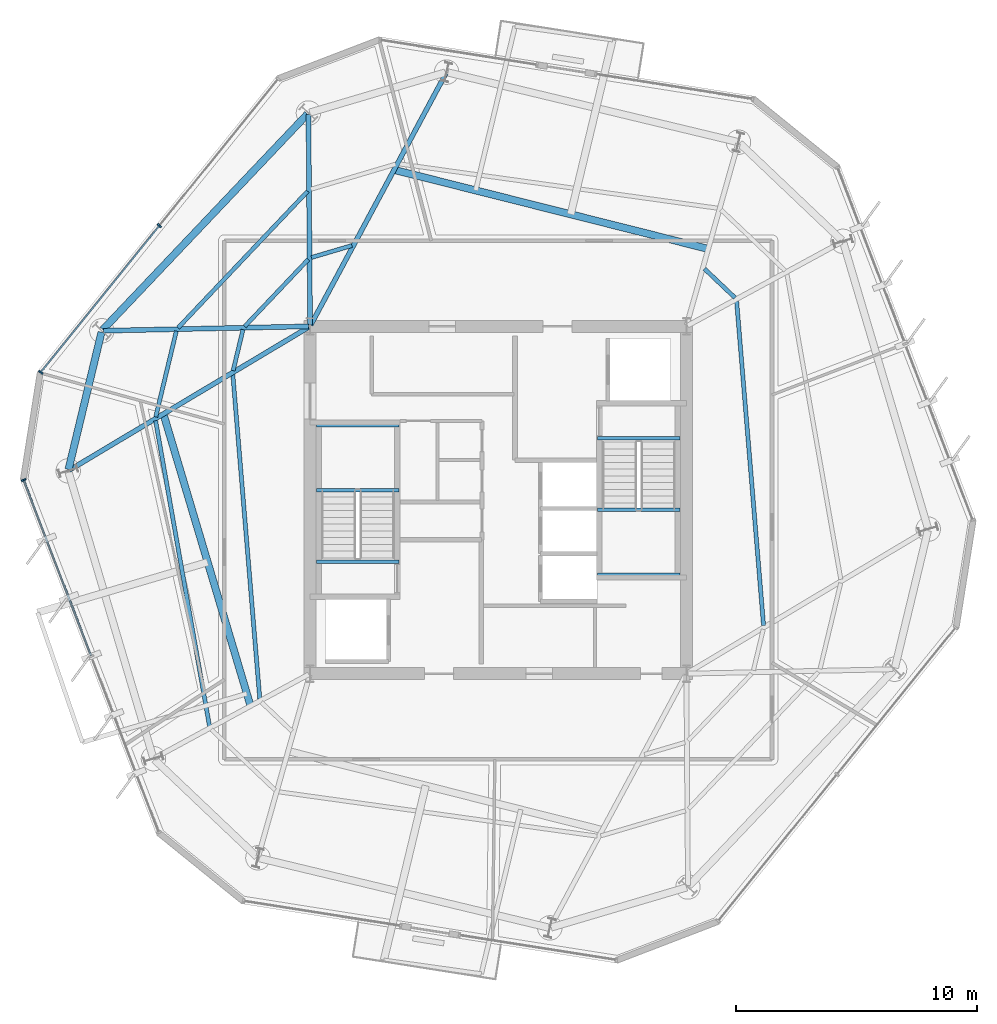
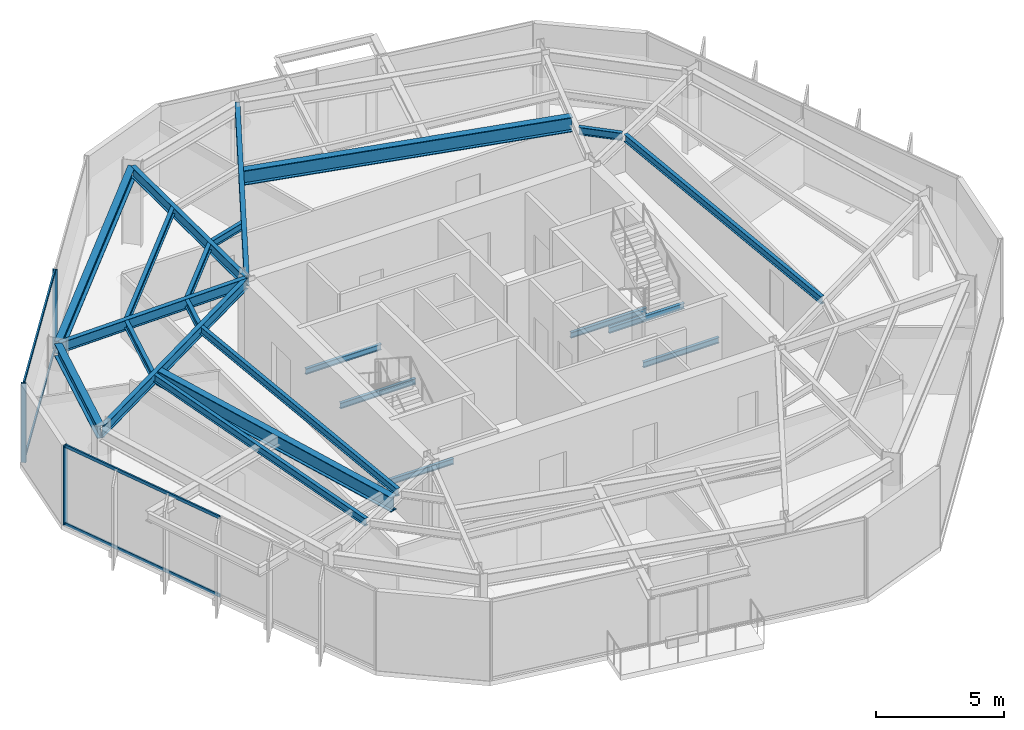
# One storey, part 3 of 11: 23 beams, 7 members, 2 elements without a shape of their own.
"""IFC4 building model written with IfcOpenShell, lengths in metres."""

from ifc_helpers import new_model, si_unit, direction, frame, origin, origin_2d, place, context, subcontext, project, spatial, rectangle, i_section, extrude, material, layer, layer_set, material_profile, profile_set, type_object, element, aggregate, save


model = new_model("IFC4")

# Units and contexts
model_context = context("Model", 3, precision=1e-05, world=origin(), true_north=direction((0.0, 1.0)))
body_context = subcontext(model_context, "Body", "Model", "MODEL_VIEW")
ifc_project = project(units=[si_unit("LENGTHUNIT", "METRE"), si_unit("AREAUNIT", "SQUARE_METRE"), si_unit("VOLUMEUNIT", "CUBIC_METRE"), si_unit("PLANEANGLEUNIT", "RADIAN"), si_unit("MASSUNIT", "GRAM", prefix="KILO")], contexts=[model_context])

# Site, building, storey
site_placement = place(None, origin())
site = spatial("IfcSite", under=ifc_project, at=site_placement, CompositionType="ELEMENT")
building_placement = place(site_placement, origin())
building = spatial("IfcBuilding", under=site, at=building_placement, Name="Kranzbogen Civic Tower", CompositionType="ELEMENT")
storey_placement = place(building_placement, frame((0.0, 0.0, 228.800048828125)))
storey = spatial("IfcBuildingStorey", under=building, at=storey_placement, Name="L55", CompositionType="ELEMENT", Elevation=228.800048828125)

# Curtain wall, members
ifc_material_1 = material(Name="Pale Anodised Aluminium", Category="aluminium")
ifc_layer = layer(ifc_material_1, 0.219970703125, Name="Pale Anodised Aluminium")
ifc_layer_set = layer_set([ifc_layer], Name="Pale Anodised Aluminium")
curtain_wall_type = type_object("IfcCurtainWallType", Name="Zone 3 Stick Curtain Wall System CW-04", PredefinedType="USERDEFINED", material=ifc_layer_set)
curtain_wall_1_placement = place(storey_placement, origin())
curtain_wall_1 = element("IfcCurtainWall", 1, at=curtain_wall_1_placement, inside=storey, type_object=curtain_wall_type, Name="L55 curtain wall CW-L55-F2", ObjectType="STICK CURTAIN WALL", PredefinedType="USERDEFINED")
ifc_material_profile_1 = material_profile(ifc_material_1, rectangle(XDim=0.070068359375, YDim=0.199951171875, at=origin_2d()), Name="ALU-M 70x200")
ifc_profile_set_1 = profile_set([ifc_material_profile_1], Name="Pale Anodised Aluminium")
member_type_1 = type_object("IfcMemberType", Name="Curtain Wall Mullion ALU-M 70x200", PredefinedType="MULLION", material=ifc_profile_set_1)
member_1_placement = place(storey_placement, frame((10.9560546875, 36.37353515625, 0.0), z_axis=(0.0, 0.0, 1.0), x_axis=(-0.629357543601, -0.777115874444, 0.0)))
member_1 = element("IfcMember", 2, at=member_1_placement, type_object=member_type_1, Name="CW-04 mullion 2", PredefinedType="MULLION", context=body_context, shape_type="SweptSolid", body=[
    extrude(rectangle(XDim=0.070068359375, YDim=0.199951171875, at=origin_2d()), origin(), (0.0, 0.0, 1.0), 3.780029296875),
])
member_2_placement = place(storey_placement, frame((6.031982421875, 30.293212890625, 0.0), z_axis=(0.0, 0.0, 1.0), x_axis=(-0.629357543601, -0.777115874444, 0.0)))
member_2 = element("IfcMember", 3, at=member_2_placement, type_object=member_type_1, Name="CW-04 mullion 3", PredefinedType="MULLION", context=body_context, shape_type="SweptSolid", body=[
    extrude(rectangle(XDim=0.070068359375, YDim=0.199951171875, at=origin_2d()), origin(), (0.0, 0.0, 1.0), 3.780029296875),
])

# Curtain wall, member
curtain_wall_2_placement = place(storey_placement, origin())
curtain_wall_2 = element("IfcCurtainWall", 4, at=curtain_wall_2_placement, inside=storey, type_object=curtain_wall_type, Name="L55 curtain wall CW-L55-F3", ObjectType="STICK CURTAIN WALL", PredefinedType="USERDEFINED")
member_3_placement = place(storey_placement, frame((5.32470703125, 25.827880859375, 0.0), z_axis=(0.0, 0.0, 1.0), x_axis=(0.3583476378, -0.933588223192, 0.0)))
member_3 = element("IfcMember", 5, at=member_3_placement, type_object=member_type_1, Name="CW-04 mullion 1", PredefinedType="MULLION", context=body_context, shape_type="SweptSolid", body=[
    extrude(rectangle(XDim=0.070068359375, YDim=0.199951171875, at=origin_2d()), origin(), (0.0, 0.0, 1.0), 3.780029296875),
])

# Member
ifc_material_profile_2 = material_profile(ifc_material_1, rectangle(XDim=0.070068359375, YDim=0.14990234375, at=origin_2d()), Name="ALU-T 70x150")
ifc_profile_set_2 = profile_set([ifc_material_profile_2], Name="Pale Anodised Aluminium")
member_type_2 = type_object("IfcMemberType", Name="Curtain Wall Transom ALU-T 70x150", PredefinedType="USERDEFINED", material=ifc_profile_set_2)
member_4_placement = place(storey_placement, frame((10.93701171875, 36.35009765625, 0.030029296875), z_axis=(-0.629354712234, -0.777118167455, 0.0), x_axis=(0.777118167455, -0.629354712234, 0.0)))
member_4 = element("IfcMember", 6, at=member_4_placement, type_object=member_type_2, Name="CW-04 transom 2.1", ObjectType="TRANSOM", PredefinedType="USERDEFINED", context=body_context, shape_type="SweptSolid", body=[
    extrude(rectangle(XDim=0.070068359375, YDim=0.14990234375, at=origin_2d()), origin(), (0.0, 0.0, 1.0), 7.763916015625),
])

member_5_placement = place(storey_placement, frame((10.93701171875, 36.35009765625, 3.75), z_axis=(-0.629354712234, -0.777118167455, 0.0), x_axis=(0.777118167455, -0.629354712234, 0.0)))
member_5 = element("IfcMember", 7, at=member_5_placement, type_object=member_type_2, Name="CW-04 transom 2.2", ObjectType="TRANSOM", PredefinedType="USERDEFINED", context=body_context, shape_type="SweptSolid", body=[
    extrude(rectangle(XDim=0.070068359375, YDim=0.14990234375, at=origin_2d()), origin(), (0.0, 0.0, 1.0), 7.763916015625),
])

aggregate(curtain_wall_1, [member_1, member_2, member_4, member_5])

member_6_placement = place(storey_placement, frame((5.33544921875, 25.800048828125, 0.030029296875), z_axis=(0.358342647963, -0.933590138471, 0.0), x_axis=(0.933590138471, 0.358342647963, 0.0)))
member_6 = element("IfcMember", 8, at=member_6_placement, type_object=member_type_2, Name="CW-04 transom 1.1", ObjectType="TRANSOM", PredefinedType="USERDEFINED", context=body_context, shape_type="SweptSolid", body=[
    extrude(rectangle(XDim=0.070068359375, YDim=0.14990234375, at=origin_2d()), origin(), (0.0, 0.0, 1.0), 7.76416015625),
])

member_7_placement = place(storey_placement, frame((5.33544921875, 25.800048828125, 3.75), z_axis=(0.358342647963, -0.933590138471, 0.0), x_axis=(0.933590138471, 0.358342647963, 0.0)))
member_7 = element("IfcMember", 9, at=member_7_placement, type_object=member_type_2, Name="CW-04 transom 1.2", ObjectType="TRANSOM", PredefinedType="USERDEFINED", context=body_context, shape_type="SweptSolid", body=[
    extrude(rectangle(XDim=0.070068359375, YDim=0.14990234375, at=origin_2d()), origin(), (0.0, 0.0, 1.0), 7.76416015625),
])

aggregate(curtain_wall_2, [member_3, member_6, member_7])

# Beams
ifc_material_2 = material(Name="Steel S355", Category="steel")
ifc_material_profile_3 = material_profile(ifc_material_2, i_section(OverallWidth=0.300048828125, OverallDepth=0.60009765625, WebThickness=0.015380859375, FlangeThickness=0.030029296875, at=origin_2d()), Name="HEB 600")
ifc_profile_set_3 = profile_set([ifc_material_profile_3], Name="Steel S355")
beam_type_1 = type_object("IfcBeamType", Name="Perimeter Tube Spandrel Beam HEB 600", PredefinedType="SPANDREL", material=ifc_profile_set_3)
beam_1_placement = place(storey_placement, frame((17.092041015625, 41.0, 3.47998046875), z_axis=(-0.688373497874, -0.725356414065, 0.0), x_axis=(0.725356414065, -0.688373497874, 0.0)))
element("IfcBeam", 10, at=beam_1_placement, inside=storey, type_object=beam_type_1, Name="L55 perimeter spandrel beam 10", PredefinedType="SPANDREL", context=body_context, shape_type="SweptSolid", body=[
    extrude(i_section(OverallWidth=0.300048828125, OverallDepth=0.60009765625, WebThickness=0.015380859375, FlangeThickness=0.030029296875, at=origin_2d()), origin(), (0.0, 0.0, 1.0), 12.324951171875),
])
beam_2_placement = place(storey_placement, frame((8.552978515625, 31.9580078125, 3.47998046875), z_axis=(-0.233554380434, -0.972343741369, 0.0), x_axis=(0.972343741369, -0.233554380434, 0.0)))
element("IfcBeam", 11, at=beam_2_placement, inside=storey, type_object=beam_type_1, Name="L55 perimeter spandrel beam 11", PredefinedType="SPANDREL", context=body_context, shape_type="SweptSolid", body=[
    extrude(i_section(OverallWidth=0.300048828125, OverallDepth=0.60009765625, WebThickness=0.015380859375, FlangeThickness=0.030029296875, at=origin_2d()), origin(), (0.0, 0.0, 1.0), 5.852783203125),
])
ifc_material_profile_4 = material_profile(ifc_material_2, i_section(OverallWidth=0.300048828125, OverallDepth=0.699951171875, WebThickness=0.01708984375, FlangeThickness=0.031982421875, at=origin_2d()), Name="HEB 700")
ifc_profile_set_4 = profile_set([ifc_material_profile_4], Name="Steel S355")
beam_type_2 = type_object("IfcBeamType", Name="Perimeter Tube Spandrel Beam HEB 700", PredefinedType="SPANDREL", material=ifc_profile_set_4)
beam_3_placement = place(storey_placement, frame((33.7080078125, 35.408935546875, 3.39990234375), z_axis=(-0.969754167823, 0.244083702834, 0.0), x_axis=(-0.244083702834, -0.969754167823, 0.0)))
element("IfcBeam", 12, at=beam_3_placement, inside=storey, type_object=beam_type_2, Name="L56 balcony back-span header girder L56-TB1", PredefinedType="SPANDREL", context=body_context, shape_type="SweptSolid", body=[
    extrude(i_section(OverallWidth=0.300048828125, OverallDepth=0.699951171875, WebThickness=0.01708984375, FlangeThickness=0.031982421875, at=origin_2d()), origin(), (0.0, 0.0, 1.0), 13.43017578125),
])
beam_4_placement = place(storey_placement, frame((11.12109375, 28.568115234375, 3.369873046875), z_axis=(0.285870808606, -0.95826816747, 0.0), x_axis=(0.95826816747, 0.285870808606, 0.0)))
element("IfcBeam", 13, at=beam_4_placement, inside=storey, type_object=beam_type_2, Name="L56 balcony back-span header girder L56-ST", PredefinedType="SPANDREL", context=body_context, shape_type="SweptSolid", body=[
    extrude(i_section(OverallWidth=0.300048828125, OverallDepth=0.699951171875, WebThickness=0.01708984375, FlangeThickness=0.031982421875, at=origin_2d()), origin(), (0.0, 0.0, 1.0), 12.634521484375),
])
ifc_material_profile_5 = material_profile(ifc_material_2, i_section(OverallWidth=0.199951171875, OverallDepth=0.5, WebThickness=0.01025390625, FlangeThickness=0.01611328125, at=origin_2d()), Name="IPE 500")
ifc_profile_set_5 = profile_set([ifc_material_profile_5], Name="Steel S355")
beam_type_3 = type_object("IfcBeamType", Name="Radial Tower Floor Girder IPE 500", PredefinedType="BEAM", material=ifc_profile_set_5)
beam_5_placement = place(storey_placement, frame((22.83203125, 42.68701171875, 3.530029296875), z_axis=(-0.473160413549, -0.880976289721, 0.0), x_axis=(0.880976289721, -0.473160413549, 0.0)))
element("IfcBeam", 14, at=beam_5_placement, inside=storey, type_object=beam_type_3, Name="L55 radial floor girder 09", PredefinedType="BEAM", context=body_context, shape_type="SweptSolid", body=[
    extrude(i_section(OverallWidth=0.199951171875, OverallDepth=0.5, WebThickness=0.01025390625, FlangeThickness=0.01611328125, at=origin_2d()), origin(), (0.0, 0.0, 1.0), 11.84375),
])
beam_6_placement = place(storey_placement, frame((17.133056640625, 40.98388671875, 3.530029296875), z_axis=(0.007667756557, -0.999970602323, 0.0), x_axis=(0.999970602323, 0.007667756557, 0.0)))
element("IfcBeam", 15, at=beam_6_placement, inside=storey, type_object=beam_type_3, Name="L55 radial floor girder 10", PredefinedType="BEAM", context=body_context, shape_type="SweptSolid", body=[
    extrude(i_section(OverallWidth=0.199951171875, OverallDepth=0.5, WebThickness=0.01025390625, FlangeThickness=0.01611328125, at=origin_2d()), origin(), (0.0, 0.0, 1.0), 8.72412109375),
])
beam_7_placement = place(storey_placement, frame((8.626953125, 32.01708984375, 3.530029296875), z_axis=(0.99977183191, 0.021360808018, 0.0), x_axis=(-0.021360808018, 0.99977183191, 0.0)))
element("IfcBeam", 16, at=beam_7_placement, inside=storey, type_object=beam_type_3, Name="L55 radial floor girder 11", PredefinedType="BEAM", context=body_context, shape_type="SweptSolid", body=[
    extrude(i_section(OverallWidth=0.199951171875, OverallDepth=0.5, WebThickness=0.01025390625, FlangeThickness=0.01611328125, at=origin_2d()), origin(), (0.0, 0.0, 1.0), 8.514892578125),
])
beam_8_placement = place(storey_placement, frame((7.22412109375, 26.239990234375, 3.530029296875), z_axis=(0.858458551809, 0.512882944565, 0.0), x_axis=(-0.512882944565, 0.858458551809, 0.0)))
element("IfcBeam", 17, at=beam_8_placement, inside=storey, type_object=beam_type_3, Name="L55 radial floor girder 12", PredefinedType="BEAM", context=body_context, shape_type="SweptSolid", body=[
    extrude(i_section(OverallWidth=0.199951171875, OverallDepth=0.5, WebThickness=0.01025390625, FlangeThickness=0.01611328125, at=origin_2d()), origin(), (0.0, 0.0, 1.0), 11.56005859375),
])
ifc_material_profile_6 = material_profile(ifc_material_2, i_section(OverallWidth=0.169921875, OverallDepth=0.360107421875, WebThickness=0.008056640625, FlangeThickness=0.0126953125, at=origin_2d()), Name="IPE 360")
ifc_profile_set_6 = profile_set([ifc_material_profile_6], Name="Steel S355")
beam_type_4 = type_object("IfcBeamType", Name="Secondary Composite Floor Joist IPE 360", PredefinedType="JOIST", material=ifc_profile_set_6)
beam_9_placement = place(storey_placement, frame((36.001953125, 19.797119140625, 3.599853515625), z_axis=(-0.082825426692, 0.996564071544, 0.0), x_axis=(-0.996564071544, -0.082825426692, 0.0)))
element("IfcBeam", 18, at=beam_9_placement, inside=storey, type_object=beam_type_4, Name="L55 secondary floor joist 2.06", PredefinedType="JOIST", context=body_context, shape_type="SweptSolid", body=[
    extrude(i_section(OverallWidth=0.169921875, OverallDepth=0.360107421875, WebThickness=0.008056640625, FlangeThickness=0.0126953125, at=origin_2d()), origin(), (0.0, 0.0, 1.0), 13.497314453125),
])
beam_10_placement = place(storey_placement, frame((34.820068359375, 33.383056640625, 3.599853515625), z_axis=(-0.725479767774, 0.688243493649, 0.0), x_axis=(-0.688243493649, -0.725479767774, 0.0)))
element("IfcBeam", 19, at=beam_10_placement, inside=storey, type_object=beam_type_4, Name="L55 secondary floor joist 2.07", PredefinedType="JOIST", context=body_context, shape_type="SweptSolid", body=[
    extrude(i_section(OverallWidth=0.169921875, OverallDepth=0.360107421875, WebThickness=0.008056640625, FlangeThickness=0.0126953125, at=origin_2d()), origin(), (0.0, 0.0, 1.0), 1.75048828125),
])
beam_11_placement = place(storey_placement, frame((18.93408203125, 35.550048828125, 3.599853515625), z_axis=(-0.958871214757, -0.283841493638, 0.0), x_axis=(0.283841493638, -0.958871214757, 0.0)))
element("IfcBeam", 20, at=beam_11_placement, inside=storey, type_object=beam_type_4, Name="L55 secondary floor joist 2.09", PredefinedType="JOIST", context=body_context, shape_type="SweptSolid", body=[
    extrude(i_section(OverallWidth=0.169921875, OverallDepth=0.360107421875, WebThickness=0.008056640625, FlangeThickness=0.0126953125, at=origin_2d()), origin(), (0.0, 0.0, 1.0), 1.751220703125),
])
beam_12_placement = place(storey_placement, frame((17.10205078125, 37.802001953125, 3.599853515625), z_axis=(-0.688282381634, -0.725442873789, 0.0), x_axis=(0.725442873789, -0.688282381634, 0.0)))
element("IfcBeam", 21, at=beam_12_placement, inside=storey, type_object=beam_type_4, Name="L55 secondary floor joist 1.10", PredefinedType="JOIST", context=body_context, shape_type="SweptSolid", body=[
    extrude(i_section(OverallWidth=0.169921875, OverallDepth=0.360107421875, WebThickness=0.008056640625, FlangeThickness=0.0126953125, at=origin_2d()), origin(), (0.0, 0.0, 1.0), 7.804931640625),
])
beam_13_placement = place(storey_placement, frame((17.123046875, 34.971923828125, 3.599853515625), z_axis=(-0.688175084876, -0.725544659243, 0.0), x_axis=(0.725544659243, -0.688175084876, 0.0)))
element("IfcBeam", 22, at=beam_13_placement, inside=storey, type_object=beam_type_4, Name="L55 secondary floor joist 2.10", PredefinedType="JOIST", context=body_context, shape_type="SweptSolid", body=[
    extrude(i_section(OverallWidth=0.169921875, OverallDepth=0.360107421875, WebThickness=0.008056640625, FlangeThickness=0.0126953125, at=origin_2d()), origin(), (0.0, 0.0, 1.0), 3.82177734375),
])
beam_14_placement = place(storey_placement, frame((11.656005859375, 32.00390625, 3.599853515625), z_axis=(-0.233534367714, -0.972348548154, 0.0), x_axis=(0.972348548154, -0.233534367714, 0.0)))
element("IfcBeam", 23, at=beam_14_placement, inside=storey, type_object=beam_type_4, Name="L55 secondary floor joist 1.11", PredefinedType="JOIST", context=body_context, shape_type="SweptSolid", body=[
    extrude(i_section(OverallWidth=0.169921875, OverallDepth=0.360107421875, WebThickness=0.008056640625, FlangeThickness=0.0126953125, at=origin_2d()), origin(), (0.0, 0.0, 1.0), 3.6611328125),
])
beam_15_placement = place(storey_placement, frame((14.4189453125, 32.06298828125, 3.599853515625), z_axis=(-0.233631438607, -0.972325228972, 0.0), x_axis=(0.972325228972, -0.233631438607, 0.0)))
element("IfcBeam", 24, at=beam_15_placement, inside=storey, type_object=beam_type_4, Name="L55 secondary floor joist 2.11", PredefinedType="JOIST", context=body_context, shape_type="SweptSolid", body=[
    extrude(i_section(OverallWidth=0.169921875, OverallDepth=0.360107421875, WebThickness=0.008056640625, FlangeThickness=0.0126953125, at=origin_2d()), origin(), (0.0, 0.0, 1.0), 1.750244140625),
])
beam_16_placement = place(storey_placement, frame((10.7958984375, 28.287109375, 3.599853515625), z_axis=(0.173805911364, -0.984779927281, 0.0), x_axis=(0.984779927281, 0.173805911364, 0.0)))
element("IfcBeam", 25, at=beam_16_placement, inside=storey, type_object=beam_type_4, Name="L55 secondary floor joist 1.12", PredefinedType="JOIST", context=body_context, shape_type="SweptSolid", body=[
    extrude(i_section(OverallWidth=0.169921875, OverallDepth=0.360107421875, WebThickness=0.008056640625, FlangeThickness=0.0126953125, at=origin_2d()), origin(), (0.0, 0.0, 1.0), 12.85986328125),
])
beam_17_placement = place(storey_placement, frame((13.998046875, 30.202880859375, 3.599853515625), z_axis=(0.082825426692, -0.996564071544, 0.0), x_axis=(0.996564071544, 0.082825426692, 0.0)))
element("IfcBeam", 26, at=beam_17_placement, inside=storey, type_object=beam_type_4, Name="L55 secondary floor joist 2.12", PredefinedType="JOIST", context=body_context, shape_type="SweptSolid", body=[
    extrude(i_section(OverallWidth=0.169921875, OverallDepth=0.360107421875, WebThickness=0.008056640625, FlangeThickness=0.0126953125, at=origin_2d()), origin(), (0.0, 0.0, 1.0), 13.497314453125),
])
ifc_material_profile_7 = material_profile(ifc_material_2, i_section(OverallWidth=0.135009765625, OverallDepth=0.27001953125, WebThickness=0.006591796875, FlangeThickness=0.01025390625, at=origin_2d()), Name="IPE 270")
ifc_profile_set_7 = profile_set([ifc_material_profile_7], Name="Steel S355")
beam_type_5 = type_object("IfcBeamType", Name="Stair Landing Support Beam IPE 270", PredefinedType="JOIST", material=ifc_profile_set_7)
for number, where, z_axis, x_axis, name in (
    (27, (20.8798828125, 22.43994140625, -0.35498046875), (-1.0, 0.0, 0.0), (0.0, -1.0, 0.0), "L55 ST-T1 stair floor header beam"),
    (28, (20.8798828125, 25.39990234375, 1.6650390625), (-1.0, 0.0, 0.0), (0.0, -1.0, 0.0), "L55 ST-T1 landing support beam 1.1"),
    (29, (20.8798828125, 28.10009765625, 1.6650390625), (-1.0, 0.0, 0.0), (0.0, -1.0, 0.0), "L55 ST-T1 landing support beam 1.2"),
    (30, (29.1201171875, 27.56005859375, -0.35498046875), (1.0, 0.0, 0.0), (0.0, 1.0, 0.0), "L55 ST-T2 stair floor header beam"),
    (31, (29.1201171875, 24.60009765625, 1.6650390625), (1.0, 0.0, 0.0), (0.0, 1.0, 0.0), "L55 ST-T2 landing support beam 1.1"),
    (32, (29.1201171875, 21.89990234375, 1.6650390625), (1.0, 0.0, 0.0), (0.0, 1.0, 0.0), "L55 ST-T2 landing support beam 1.2"),
):
    element("IfcBeam", number, at=place(storey_placement, frame(where, z_axis=z_axis, x_axis=x_axis)), inside=storey, type_object=beam_type_5, Name=name, PredefinedType="JOIST", context=body_context, shape_type="SweptSolid", body=[
        extrude(i_section(OverallWidth=0.135009765625, OverallDepth=0.27001953125, WebThickness=0.006591796875, FlangeThickness=0.01025390625, at=origin_2d()), origin(), (0.0, 0.0, 1.0), 3.409912109375),
    ])

save(model, "model.ifc")
